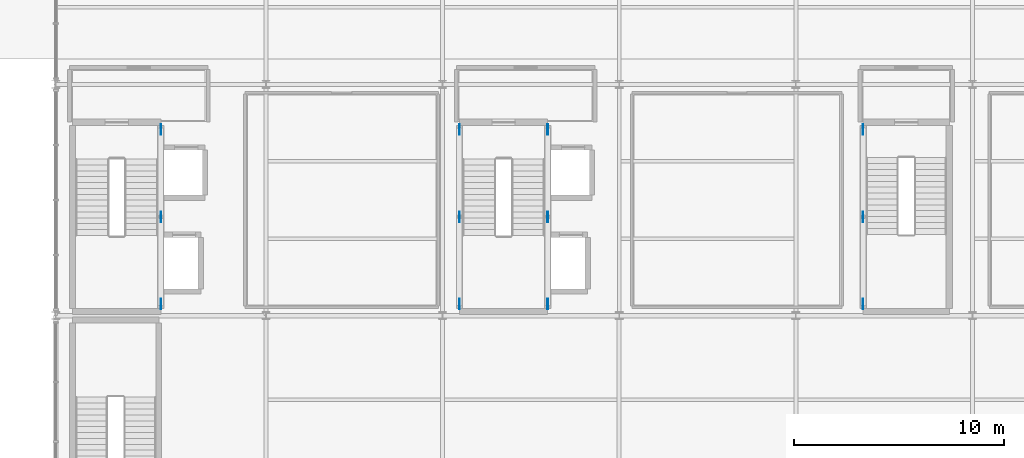
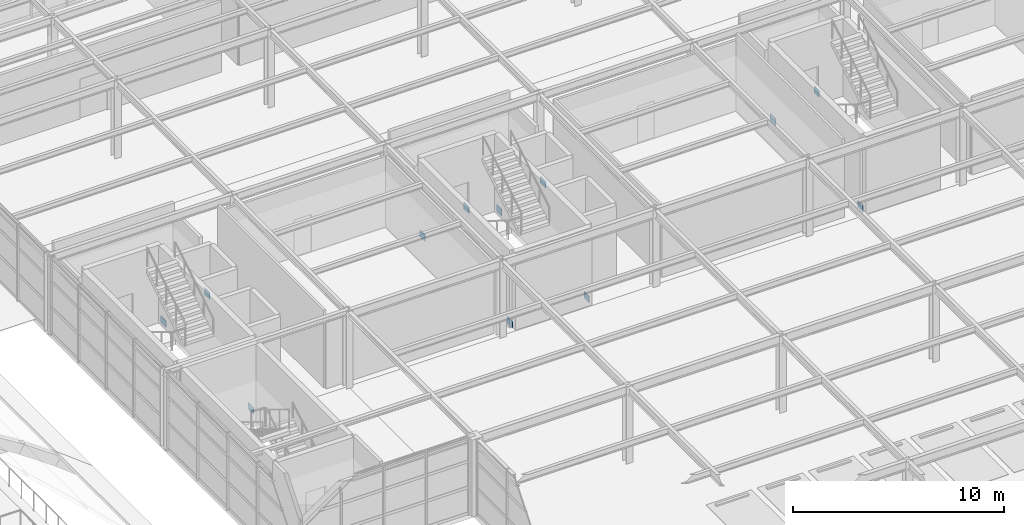
# One storey, part 60 of 82: 12 plates.
"""IFC4 building model written with IfcOpenShell, lengths in metres."""

from ifc_helpers import new_model, si_unit, direction, frame, origin, origin_2d, place, context, subcontext, project, spatial, rectangle, extrude, material, layer, layer_set, type_object, element, save


model = new_model("IFC4")

# Units and contexts
model_context = context("Model", 3, precision=1e-05, world=origin(), true_north=direction((0.0, 1.0)))
body_context = subcontext(model_context, "Body", "Model", "MODEL_VIEW")
ifc_project = project(units=[si_unit("LENGTHUNIT", "METRE"), si_unit("AREAUNIT", "SQUARE_METRE"), si_unit("VOLUMEUNIT", "CUBIC_METRE"), si_unit("PLANEANGLEUNIT", "RADIAN"), si_unit("MASSUNIT", "GRAM", prefix="KILO")], contexts=[model_context])

# Site, building, storey
site_placement = place(None, origin())
site = spatial("IfcSite", under=ifc_project, at=site_placement, CompositionType="ELEMENT")
building_placement = place(site_placement, origin())
building = spatial("IfcBuilding", under=site, at=building_placement, Name="Sitalva Quay Ferry Terminal", CompositionType="ELEMENT")
storey_placement = place(building_placement, frame((0.0, 0.0, 5.39990234375)))
storey = spatial("IfcBuildingStorey", under=building, at=storey_placement, Name="L02", CompositionType="ELEMENT", Elevation=5.39990234375)

# Plates
ifc_material = material(Name="Structural Steel S355JR", Category="steel")
ifc_layer = layer(ifc_material, 0.028076171875)
ifc_layer_set = layer_set([ifc_layer], Name="Structural Steel S355JR")
plate_type = type_object("IfcPlateType", Name="Gusset_500x380x28", PredefinedType="USERDEFINED", material=ifc_layer_set)
for number, where, z_axis, x_axis, name in (
    (1, (79.0, 82.699951171875, 4.090087890625), (0.0, 0.0, 1.0), (1.0, 0.0, 0.0), "Braced frame BF2 L02 APEX gusset"),
    (2, (79.0, 78.550048828125, -0.039794921875), (0.0, 0.0, 1.0), (1.0, 0.0, 0.0), "Braced frame BF2 L02 BASE-A gusset"),
    (3, (79.0, 86.85009765625, -0.039794921875), (0.0, 0.0, 1.0), (1.0, 0.0, 0.0), "Braced frame BF2 L02 BASE-B gusset"),
    (4, (97.39990234375, 82.699951171875, 4.090087890625), (0.0, 0.0, 1.0), (1.0, 0.0, 0.0), "Braced frame BF3 L02 APEX gusset"),
    (5, (97.39990234375, 78.550048828125, -0.039794921875), (0.0, 0.0, 1.0), (1.0, 0.0, 0.0), "Braced frame BF3 L02 BASE-A gusset"),
    (6, (97.39990234375, 86.85009765625, -0.039794921875), (0.0, 0.0, 1.0), (1.0, 0.0, 0.0), "Braced frame BF3 L02 BASE-B gusset"),
    (7, (112.39990234375, 82.699951171875, 4.090087890625), (0.0, 0.0, 1.0), (1.0, 0.0, 0.0), "Braced frame BF5 L02 APEX gusset"),
    (8, (112.39990234375, 78.550048828125, -0.039794921875), (0.0, 0.0, 1.0), (1.0, 0.0, 0.0), "Braced frame BF5 L02 BASE-A gusset"),
    (9, (112.39990234375, 86.85009765625, -0.039794921875), (0.0, 0.0, 1.0), (1.0, 0.0, 0.0), "Braced frame BF5 L02 BASE-B gusset"),
    (10, (93.199951171875, 82.699951171875, 4.090087890625), (0.0, 0.0, 1.0), (1.0, 0.0, 0.0), "Braced frame BF6 L02 APEX gusset"),
    (11, (93.199951171875, 78.550048828125, -0.039794921875), (0.0, 0.0, 1.0), (1.0, 0.0, 0.0), "Braced frame BF6 L02 BASE-A gusset"),
    (12, (93.199951171875, 86.85009765625, -0.039794921875), (0.0, 0.0, 1.0), (1.0, 0.0, 0.0), "Braced frame BF6 L02 BASE-B gusset"),
):
    element("IfcPlate", number, at=place(storey_placement, frame(where, z_axis=z_axis, x_axis=x_axis)), inside=storey, type_object=plate_type, Name=name, ObjectType="FLANGE_PLATE", PredefinedType="USERDEFINED", context=body_context, shape_type="SweptSolid", body=[
        extrude(rectangle(XDim=0.028076171875, YDim=0.5, at=origin_2d()), origin(), (0.0, 0.0, 1.0), 0.3798828125),
    ])

save(model, "model.ifc")
